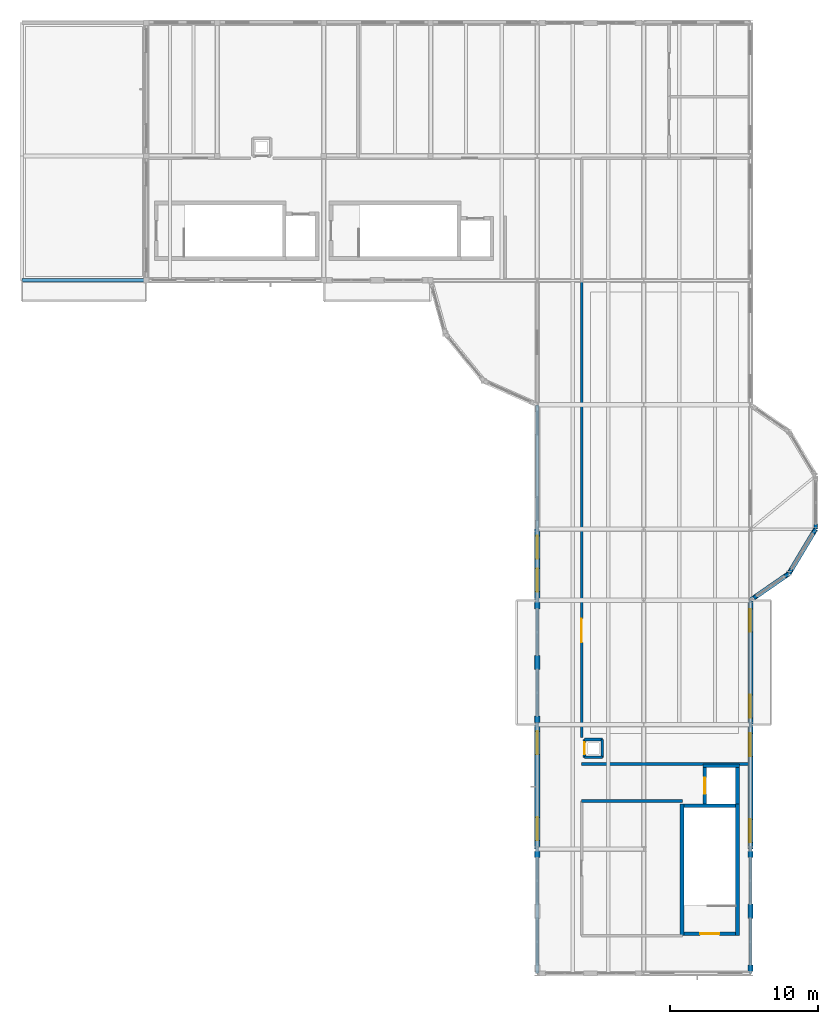
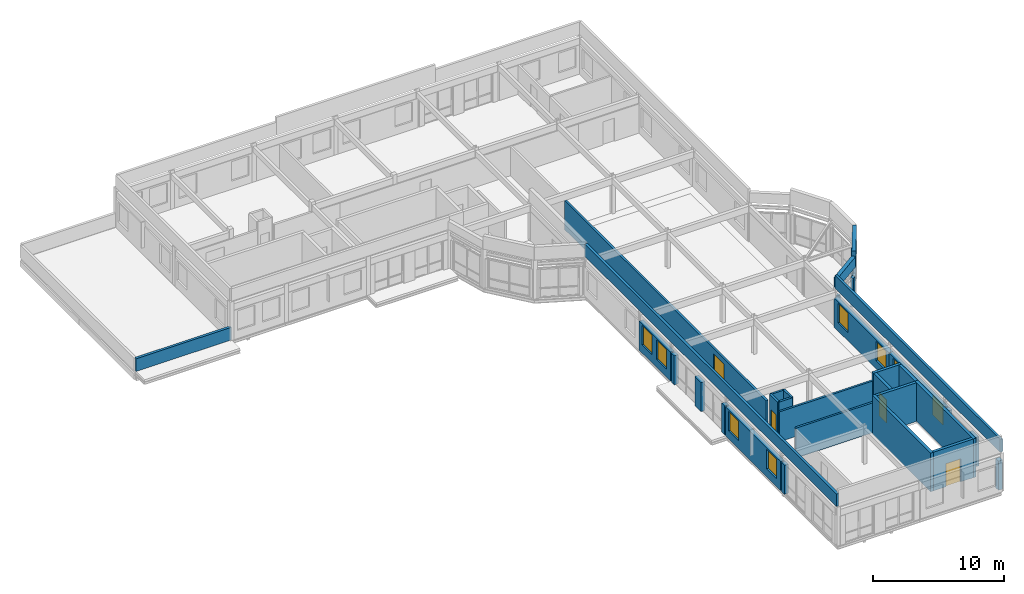
# One storey, part 16 of 21: 35 walls, 8 windows, 4 doors, 12 openings.
"""IFC4 building model written with IfcOpenShell, lengths in metres."""

from ifc_helpers import new_model, si_unit, direction, frame, frame_2d, origin, place, context, subcontext, project, spatial, rectangle, extrude, material, layer, layer_set, type_object, element, fill, save


model = new_model("IFC4")

# Units and contexts
model_context = context("Model", 3, precision=1e-05, world=origin(), true_north=direction((0.0, 1.0)))
body_context = subcontext(model_context, "Body", "Model", "MODEL_VIEW")
ifc_project = project(units=[si_unit("LENGTHUNIT", "METRE"), si_unit("AREAUNIT", "SQUARE_METRE"), si_unit("VOLUMEUNIT", "CUBIC_METRE"), si_unit("PLANEANGLEUNIT", "RADIAN"), si_unit("MASSUNIT", "GRAM", prefix="KILO")], contexts=[model_context])

# Site, building, storey
site_placement = place(None, origin())
site = spatial("IfcSite", under=ifc_project, at=site_placement, CompositionType="ELEMENT")
building_placement = place(site_placement, origin())
building = spatial("IfcBuilding", under=site, at=building_placement, Name="Kahlenmark Community Centre", CompositionType="ELEMENT")
storey_placement = place(building_placement, frame((0.0, 0.0, 21.60009765625)))
storey = spatial("IfcBuildingStorey", under=building, at=storey_placement, Name="L05", CompositionType="ELEMENT", Elevation=21.60009765625)

# Wall, opening, door
ifc_material_1 = material(Name="Concrete C35/45", Category="concrete")
ifc_layer_1 = layer(ifc_material_1, 0.25)
ifc_layer_set_1 = layer_set([ifc_layer_1], Name="Concrete C35/45")
wall_type_1 = type_object("IfcWallType", Name="WT-CORE-250", PredefinedType="SHEAR", material=ifc_layer_set_1)
wall_1_placement = place(storey_placement, frame((82.300048828125, 53.47509765625, 0.0), z_axis=(0.0, 0.0, 1.0), x_axis=(1.0, 0.0, 0.0)))
wall_1 = element("IfcWall", 1, at=wall_1_placement, inside=storey, type_object=wall_type_1, Name="Core K6 shear wall WL-CORE-K6-L05-0239", PredefinedType="SHEAR", context=body_context, shape_type="SweptSolid", body=[
    extrude(rectangle(XDim=3.5, YDim=0.25, at=frame_2d((1.75, 0.0))), origin(), (0.0, 0.0, 1.0), 3.599853515625),
])
opening_1_placement = place(wall_1_placement, frame((1.10009765625, 0.0, -0.010009765625)))
opening_1 = element("IfcOpeningElement", 2, at=opening_1_placement, cuts=wall_1, Name="Opening FD-K6-L05", PredefinedType="OPENING", context=body_context, shape_type="SweptSolid", body=[
    extrude(rectangle(XDim=1.300048828125, YDim=2.159912109375, at=frame_2d((0.64990234375, 1.080078125))), frame((0.0, 0.135009765625, 0.0), z_axis=(0.0, -1.0, 0.0), x_axis=(1.0, 0.0, 0.0)), (0.0, 0.0, 1.0), 0.27001953125),
])
ifc_material_2 = material(Name="Fire-rated steel-framed timber door FD60S", Category="steel")
door_type_1 = type_object("IfcDoorType", Name="DT-FD-K6-L05", OperationType="NOTDEFINED", PredefinedType="DOOR", material=ifc_material_2)
door_1_placement = place(opening_1_placement, frame((1.300048828125, 0.0, 0.010009765625), z_axis=(0.0, 0.0, 1.0), x_axis=(-1.0, 0.0, 0.0)))
door_1 = element("IfcDoor", 3, at=door_1_placement, inside=storey, type_object=door_type_1, Name="Core K6 stair fire door L05", OperationType="SINGLE_SWING_LEFT", OverallHeight=2.14990234375, OverallWidth=1.300048828125, PredefinedType="DOOR", context=body_context, shape_type="SweptSolid", body=[
    extrude(rectangle(XDim=1.300048828125, YDim=2.14990234375, at=frame_2d((0.64990234375, 1.074951171875))), frame((0.0, 0.02490234375, 0.0), z_axis=(0.0, -1.0, 0.0), x_axis=(1.0, 0.0, 0.0)), (0.0, 0.0, 1.0), 0.050048828125),
])
fill(opening_1, door_1)

# Walls
wall_2_placement = place(storey_placement, frame((82.175048828125, 53.35009765625, 0.0), z_axis=(0.0, 0.0, 1.0), x_axis=(0.0, 1.0, 0.0)))
element("IfcWall", 4, at=wall_2_placement, inside=storey, type_object=wall_type_1, Name="Core K6 shear wall WL-CORE-K6-L05-0240", PredefinedType="SHEAR", context=body_context, shape_type="SweptSolid", body=[
    extrude(rectangle(XDim=8.89990234375, YDim=0.25, at=frame_2d((4.449951171875, 0.0))), origin(), (0.0, 0.0, 1.0), 3.599853515625),
])
wall_3_placement = place(storey_placement, frame((85.800048828125, 62.125, 0.0), z_axis=(0.0, 0.0, 1.0), x_axis=(-1.0, 0.0, 0.0)))
element("IfcWall", 5, at=wall_3_placement, inside=storey, type_object=wall_type_1, Name="Core K6 shear wall WL-CORE-K6-L05-0241", PredefinedType="SHEAR", context=body_context, shape_type="SweptSolid", body=[
    extrude(rectangle(XDim=3.5, YDim=0.25, at=frame_2d((1.75, 0.0))), origin(), (0.0, 0.0, 1.0), 3.599853515625),
])
wall_4_placement = place(storey_placement, frame((85.925048828125, 53.35009765625, 0.0), z_axis=(0.0, 0.0, 1.0), x_axis=(0.0, 1.0, 0.0)))
element("IfcWall", 6, at=wall_4_placement, inside=storey, type_object=wall_type_1, Name="Core K6 shear wall WL-CORE-K6-L05-0242", PredefinedType="SHEAR", context=body_context, shape_type="SweptSolid", body=[
    extrude(rectangle(XDim=8.89990234375, YDim=0.25, at=frame_2d((4.449951171875, 0.0))), origin(), (0.0, 0.0, 1.0), 3.599853515625),
])
wall_5_placement = place(storey_placement, frame((83.590087890625, 64.8349609375, 0.0), z_axis=(0.0, 0.0, 1.0), x_axis=(1.0, 0.0, 0.0)))
element("IfcWall", 7, at=wall_5_placement, inside=storey, type_object=wall_type_1, Name="Core K6 shear wall WL-CORE-K6-L05-0243", PredefinedType="SHEAR", context=body_context, shape_type="SweptSolid", body=[
    extrude(rectangle(XDim=2.4599609375, YDim=0.25, at=frame_2d((1.22998046875, 0.0))), origin(), (0.0, 0.0, 1.0), 3.599853515625),
])

# Wall, opening, door
wall_6_placement = place(storey_placement, frame((83.715087890625, 62.25, 0.0), z_axis=(0.0, 0.0, 1.0), x_axis=(0.0, 1.0, 0.0)))
wall_6 = element("IfcWall", 8, at=wall_6_placement, inside=storey, type_object=wall_type_1, Name="Core K6 shear wall WL-CORE-K6-L05-0244", PredefinedType="SHEAR", context=body_context, shape_type="SweptSolid", body=[
    extrude(rectangle(XDim=2.4599609375, YDim=0.25, at=frame_2d((1.22998046875, 0.0))), origin(), (0.0, 0.0, 1.0), 3.599853515625),
])
opening_2_placement = place(wall_6_placement, frame((0.679931640625, 0.0, -0.010009765625)))
opening_2 = element("IfcOpeningElement", 9, at=opening_2_placement, cuts=wall_6, Name="Opening LD-6", PredefinedType="OPENING", context=body_context, shape_type="SweptSolid", body=[
    extrude(rectangle(XDim=1.10009765625, YDim=2.159912109375, at=frame_2d((0.550048828125, 1.080078125))), frame((0.0, 0.135009765625, 0.0), z_axis=(0.0, -1.0, 0.0), x_axis=(1.0, 0.0, 0.0)), (0.0, 0.0, 1.0), 0.27001953125),
])
ifc_material_3 = material(Name="Brushed stainless steel sliding lift landing door", Category="steel")
door_type_2 = type_object("IfcDoorType", Name="DT-LD-K6", OperationType="SLIDING_TO_LEFT", PredefinedType="DOOR", material=ifc_material_3)
door_2_placement = place(opening_2_placement, frame((0.0, 0.0, 0.010009765625)))
door_2 = element("IfcDoor", 10, at=door_2_placement, inside=storey, type_object=door_type_2, Name="Lift LF-06 sliding landing door L05", OperationType="SLIDING_TO_LEFT", OverallHeight=2.14990234375, OverallWidth=1.10009765625, PredefinedType="DOOR", context=body_context, shape_type="SweptSolid", body=[
    extrude(rectangle(XDim=1.10009765625, YDim=2.14990234375, at=frame_2d((0.550048828125, 1.074951171875))), frame((0.0, 0.02490234375, 0.0), z_axis=(0.0, -1.0, 0.0), x_axis=(1.0, 0.0, 0.0)), (0.0, 0.0, 1.0), 0.050048828125),
])
fill(opening_2, door_2)

# Walls
wall_7_placement = place(storey_placement, frame((85.925048828125, 62.25, 0.0), z_axis=(0.0, 0.0, 1.0), x_axis=(0.0, 1.0, 0.0)))
element("IfcWall", 11, at=wall_7_placement, inside=storey, type_object=wall_type_1, Name="Core K6 shear wall WL-CORE-K6-L05-0245", PredefinedType="SHEAR", context=body_context, shape_type="SweptSolid", body=[
    extrude(rectangle(XDim=2.7099609375, YDim=0.25, at=frame_2d((1.35498046875, 0.0))), origin(), (0.0, 0.0, 1.0), 3.599853515625),
])
ifc_material_4 = material(Name="Cross-laminated timber CLT C24", Category="wood")
ifc_layer_2 = layer(ifc_material_4, 0.239990234375)
ifc_layer_set_2 = layer_set([ifc_layer_2], Name="Cross-laminated timber CLT C24")
wall_type_2 = type_object("IfcWallType", Name="WT-EW-240", PredefinedType="SOLIDWALL", material=ifc_layer_set_2)
wall_8_placement = place(storey_placement, frame((87.0302734375, 76.159423828125, 0.0), z_axis=(0.0, 0.0, 1.0), x_axis=(0.822192191644, 0.56920997883, 0.0)))
element("IfcWall", 12, at=wall_8_placement, inside=storey, type_object=wall_type_2, Name="Rotunda pier closure 0756", PredefinedType="SOLIDWALL", context=body_context, shape_type="SweptSolid", body=[
    extrude(rectangle(XDim=0.219970703125, YDim=0.239990234375, at=frame_2d((0.10986328125, 0.0))), origin(), (0.0, 0.0, 1.0), 2.7099609375),
])
wall_9_placement = place(storey_placement, frame((89.12060546875, 77.6064453125, 0.0), z_axis=(0.0, 0.0, 1.0), x_axis=(0.821855834467, 0.569695521619, 0.0)))
element("IfcWall", 13, at=wall_9_placement, inside=storey, type_object=wall_type_2, Name="Rotunda pier closure 0757", PredefinedType="SOLIDWALL", context=body_context, shape_type="SweptSolid", body=[
    extrude(rectangle(XDim=0.33984375, YDim=0.239990234375, at=frame_2d((0.169921875, 0.0))), origin(), (0.0, 0.0, 1.0), 2.7099609375),
])
wall_10_placement = place(storey_placement, frame((89.39990234375, 77.800048828125, 0.0), z_axis=(0.0, 0.0, 1.0), x_axis=(0.514812489021, 0.857302805984, 0.0)))
element("IfcWall", 14, at=wall_10_placement, inside=storey, type_object=wall_type_2, Name="Rotunda pier closure 0758", PredefinedType="SOLIDWALL", context=body_context, shape_type="SweptSolid", body=[
    extrude(rectangle(XDim=0.340087890625, YDim=0.239990234375, at=frame_2d((0.169921875, 0.0))), origin(), (0.0, 0.0, 1.0), 2.7099609375),
])
for number, where, z_axis, x_axis, name in (
    (15, (91.025146484375, 80.508544921875, 0.0), (0.0, 0.0, 1.0), (0.514284482632, 0.857619653998, 0.0), "Rotunda pier closure 0759"),
    (16, (91.199951171875, 80.800048828125, 0.0), (0.0, 0.0, 1.0), (0.0, 1.0, 0.0), "Rotunda pier closure 0760"),
):
    element("IfcWall", number, at=place(storey_placement, frame(where, z_axis=z_axis, x_axis=x_axis)), inside=storey, type_object=wall_type_2, Name=name, PredefinedType="SOLIDWALL", context=body_context, shape_type="SweptSolid", body=[
        extrude(rectangle(XDim=0.33984375, YDim=0.239990234375, at=frame_2d((0.169921875, 0.0))), origin(), (0.0, 0.0, 1.0), 2.7099609375),
    ])
ifc_material_5 = material(Name="Danube limestone masonry", Category="masonry")
ifc_layer_3 = layer(ifc_material_5, 0.360107421875)
ifc_layer_set_3 = layer_set([ifc_layer_3], Name="Danube limestone masonry")
wall_type_3 = type_object("IfcWallType", Name="WT-EW-360", PredefinedType="SOLIDWALL", material=ifc_layer_set_3)
wall_11_placement = place(storey_placement, frame((72.39990234375, 59.070068359375, 0.0), z_axis=(0.0, 0.0, 1.0), x_axis=(0.0, -1.0, 0.0)))
element("IfcWall", 17, at=wall_11_placement, inside=storey, type_object=wall_type_3, Name="Column closure pier 0689", PredefinedType="SOLIDWALL", context=body_context, shape_type="SweptSolid", body=[
    extrude(rectangle(XDim=0.449951171875, YDim=0.360107421875, at=frame_2d((0.22509765625, 0.0))), origin(), (0.0, 0.0, 1.0), 2.7099609375),
])

# Wall, openings, windows
wall_12_placement = place(storey_placement, frame((72.39990234375, 67.60009765625, 0.0), z_axis=(0.0, 0.0, 1.0), x_axis=(0.0, -1.0, 0.0)))
wall_12 = element("IfcWall", 18, at=wall_12_placement, inside=storey, type_object=wall_type_3, Name="Exterior wall WL-EXT-L05-0691", PredefinedType="SOLIDWALL", context=body_context, shape_type="SweptSolid", body=[
    extrude(rectangle(XDim=8.400146484375, YDim=0.360107421875, at=frame_2d((4.2001953125, 0.0))), origin(), (0.0, 0.0, 1.0), 2.7099609375),
])
opening_3_placement = place(wall_12_placement, frame((0.4599609375, 0.0, 0.75)))
opening_3 = element("IfcOpeningElement", 19, at=opening_3_placement, cuts=wall_12, Name="Opening W-155X182", PredefinedType="OPENING", context=body_context, shape_type="SweptSolid", body=[
    extrude(rectangle(XDim=1.550048828125, YDim=1.820068359375, at=frame_2d((0.77490234375, 0.91015625))), frame((0.0, 0.18994140625, 0.0), z_axis=(0.0, -1.0, 0.0), x_axis=(1.0, 0.0, 0.0)), (0.0, 0.0, 1.0), 0.380126953125),
])
opening_4_placement = place(wall_12_placement, frame((6.260009765625, 0.0, 0.75)))
opening_4 = element("IfcOpeningElement", 20, at=opening_4_placement, cuts=wall_12, Name="Opening W-155X182", PredefinedType="OPENING", context=body_context, shape_type="SweptSolid", body=[
    extrude(rectangle(XDim=1.550048828125, YDim=1.820068359375, at=frame_2d((0.77490234375, 0.91015625))), frame((0.0, 0.18994140625, 0.0), z_axis=(0.0, -1.0, 0.0), x_axis=(1.0, 0.0, 0.0)), (0.0, 0.0, 1.0), 0.380126953125),
])
ifc_material_6 = material(Name="Deep-reveal limestone punched triple glazing", Category="masonry")
window_type = type_object("IfcWindowType", Name="WNT-155X182", PartitioningType="DOUBLE_PANEL_HORIZONTAL", PredefinedType="WINDOW", material=ifc_material_6)
window_1_placement = place(opening_3_placement, origin())
window_1 = element("IfcWindow", 21, at=window_1_placement, inside=storey, type_object=window_type, Name="Window W-155X182 #0471", OverallHeight=1.820068359375, OverallWidth=1.550048828125, PartitioningType="DOUBLE_PANEL_HORIZONTAL", PredefinedType="WINDOW", context=body_context, shape_type="SweptSolid", body=[
    extrude(rectangle(XDim=1.550048828125, YDim=1.820068359375, at=frame_2d((0.77490234375, 0.91015625))), frame((0.0, 0.030029296875, 0.0), z_axis=(0.0, -1.0, 0.0), x_axis=(1.0, 0.0, 0.0)), (0.0, 0.0, 1.0), 0.06005859375),
])
fill(opening_3, window_1)
window_2_placement = place(opening_4_placement, origin())
window_2 = element("IfcWindow", 22, at=window_2_placement, inside=storey, type_object=window_type, Name="Window W-155X182 #0472", OverallHeight=1.820068359375, OverallWidth=1.550048828125, PartitioningType="DOUBLE_PANEL_HORIZONTAL", PredefinedType="WINDOW", context=body_context, shape_type="SweptSolid", body=[
    extrude(rectangle(XDim=1.550048828125, YDim=1.820068359375, at=frame_2d((0.77490234375, 0.91015625))), frame((0.0, 0.030029296875, 0.0), z_axis=(0.0, -1.0, 0.0), x_axis=(1.0, 0.0, 0.0)), (0.0, 0.0, 1.0), 0.06005859375),
])
fill(opening_4, window_2)

# Walls
wall_13_placement = place(storey_placement, frame((72.39990234375, 72.280029296875, 0.0), z_axis=(0.0, 0.0, 1.0), x_axis=(0.0, -1.0, 0.0)))
element("IfcWall", 23, at=wall_13_placement, inside=storey, type_object=wall_type_3, Name="Postmodern limestone pier 0692", PredefinedType="SOLIDWALL", context=body_context, shape_type="SweptSolid", body=[
    extrude(rectangle(XDim=0.9599609375, YDim=0.360107421875, at=frame_2d((0.47998046875, 0.0))), origin(), (0.0, 0.0, 1.0), 2.7099609375),
])
wall_14_placement = place(storey_placement, frame((72.39990234375, 75.8701171875, 0.0), z_axis=(0.0, 0.0, 1.0), x_axis=(0.0, -1.0, 0.0)))
element("IfcWall", 24, at=wall_14_placement, inside=storey, type_object=wall_type_3, Name="Column closure pier 0693", PredefinedType="SOLIDWALL", context=body_context, shape_type="SweptSolid", body=[
    extrude(rectangle(XDim=0.4501953125, YDim=0.360107421875, at=frame_2d((0.22509765625, 0.0))), origin(), (0.0, 0.0, 1.0), 2.7099609375),
])
wall_15_placement = place(storey_placement, frame((72.39990234375, 68.179931640625, 0.0), z_axis=(0.0, 0.0, 1.0), x_axis=(0.0, -1.0, 0.0)))
element("IfcWall", 25, at=wall_15_placement, inside=storey, type_object=wall_type_3, Name="Column closure pier 0694", PredefinedType="SOLIDWALL", context=body_context, shape_type="SweptSolid", body=[
    extrude(rectangle(XDim=0.449951171875, YDim=0.360107421875, at=frame_2d((0.22509765625, 0.0))), origin(), (0.0, 0.0, 1.0), 2.7099609375),
])

# Wall, openings, windows
wall_16_placement = place(storey_placement, frame((72.39990234375, 80.800048828125, 0.0), z_axis=(0.0, 0.0, 1.0), x_axis=(0.0, -1.0, 0.0)))
wall_16 = element("IfcWall", 26, at=wall_16_placement, inside=storey, type_object=wall_type_3, Name="Exterior wall WL-EXT-L05-0695", PredefinedType="SOLIDWALL", context=body_context, shape_type="SweptSolid", body=[
    extrude(rectangle(XDim=4.800048828125, YDim=0.360107421875, at=frame_2d((2.39990234375, 0.0))), origin(), (0.0, 0.0, 1.0), 2.7099609375),
])
opening_5_placement = place(wall_16_placement, frame((0.4599609375, 0.0, 0.75)))
opening_5 = element("IfcOpeningElement", 27, at=opening_5_placement, cuts=wall_16, Name="Opening W-155X182", PredefinedType="OPENING", context=body_context, shape_type="SweptSolid", body=[
    extrude(rectangle(XDim=1.550048828125, YDim=1.820068359375, at=frame_2d((0.77490234375, 0.91015625))), frame((0.0, 0.18994140625, 0.0), z_axis=(0.0, -1.0, 0.0), x_axis=(1.0, 0.0, 0.0)), (0.0, 0.0, 1.0), 0.380126953125),
])
opening_6_placement = place(wall_16_placement, frame((2.659912109375, 0.0, 0.75)))
opening_6 = element("IfcOpeningElement", 28, at=opening_6_placement, cuts=wall_16, Name="Opening W-155X182", PredefinedType="OPENING", context=body_context, shape_type="SweptSolid", body=[
    extrude(rectangle(XDim=1.550048828125, YDim=1.820068359375, at=frame_2d((0.77490234375, 0.91015625))), frame((0.0, 0.18994140625, 0.0), z_axis=(0.0, -1.0, 0.0), x_axis=(1.0, 0.0, 0.0)), (0.0, 0.0, 1.0), 0.380126953125),
])
window_3_placement = place(opening_5_placement, origin())
window_3 = element("IfcWindow", 29, at=window_3_placement, inside=storey, type_object=window_type, Name="Window W-155X182 #0473", OverallHeight=1.820068359375, OverallWidth=1.550048828125, PartitioningType="DOUBLE_PANEL_HORIZONTAL", PredefinedType="WINDOW", context=body_context, shape_type="SweptSolid", body=[
    extrude(rectangle(XDim=1.550048828125, YDim=1.820068359375, at=frame_2d((0.77490234375, 0.91015625))), frame((0.0, 0.030029296875, 0.0), z_axis=(0.0, -1.0, 0.0), x_axis=(1.0, 0.0, 0.0)), (0.0, 0.0, 1.0), 0.06005859375),
])
fill(opening_5, window_3)
window_4_placement = place(opening_6_placement, origin())
window_4 = element("IfcWindow", 30, at=window_4_placement, inside=storey, type_object=window_type, Name="Window W-155X182 #0474", OverallHeight=1.820068359375, OverallWidth=1.550048828125, PartitioningType="DOUBLE_PANEL_HORIZONTAL", PredefinedType="WINDOW", context=body_context, shape_type="SweptSolid", body=[
    extrude(rectangle(XDim=1.550048828125, YDim=1.820068359375, at=frame_2d((0.77490234375, 0.91015625))), frame((0.0, 0.030029296875, 0.0), z_axis=(0.0, -1.0, 0.0), x_axis=(1.0, 0.0, 0.0)), (0.0, 0.0, 1.0), 0.06005859375),
])
fill(opening_6, window_4)

# Walls
wall_17_placement = place(storey_placement, frame((86.800048828125, 54.52001953125, 0.0), z_axis=(0.0, 0.0, 1.0), x_axis=(0.0, 1.0, 0.0)))
element("IfcWall", 31, at=wall_17_placement, inside=storey, type_object=wall_type_3, Name="Postmodern limestone pier 0697", PredefinedType="SOLIDWALL", context=body_context, shape_type="SweptSolid", body=[
    extrude(rectangle(XDim=0.9599609375, YDim=0.360107421875, at=frame_2d((0.47998046875, 0.0))), origin(), (0.0, 0.0, 1.0), 2.7099609375),
])
for number, where, z_axis, x_axis, name in (
    (32, (86.800048828125, 50.929931640625, 0.0), (0.0, 0.0, 1.0), (0.0, 1.0, 0.0), "Column closure pier 0698"),
    (33, (86.800048828125, 58.6201171875, 0.0), (0.0, 0.0, 1.0), (0.0, 1.0, 0.0), "Column closure pier 0699"),
):
    element("IfcWall", number, at=place(storey_placement, frame(where, z_axis=z_axis, x_axis=x_axis)), inside=storey, type_object=wall_type_3, Name=name, PredefinedType="SOLIDWALL", context=body_context, shape_type="SweptSolid", body=[
        extrude(rectangle(XDim=0.449951171875, YDim=0.360107421875, at=frame_2d((0.22509765625, 0.0))), origin(), (0.0, 0.0, 1.0), 2.7099609375),
    ])

# Wall, openings, windows
wall_18_placement = place(storey_placement, frame((86.800048828125, 59.199951171875, 0.0), z_axis=(0.0, 0.0, 1.0), x_axis=(0.0, 1.0, 0.0)))
wall_18 = element("IfcWall", 34, at=wall_18_placement, inside=storey, type_object=wall_type_3, Name="Exterior wall WL-EXT-L05-0700", PredefinedType="SOLIDWALL", context=body_context, shape_type="SweptSolid", body=[
    extrude(rectangle(XDim=8.400146484375, YDim=0.360107421875, at=frame_2d((4.2001953125, 0.0))), origin(), (0.0, 0.0, 1.0), 2.7099609375),
])
opening_7_placement = place(wall_18_placement, frame((0.4599609375, 0.0, 0.75)))
opening_7 = element("IfcOpeningElement", 35, at=opening_7_placement, cuts=wall_18, Name="Opening W-155X182", PredefinedType="OPENING", context=body_context, shape_type="SweptSolid", body=[
    extrude(rectangle(XDim=1.550048828125, YDim=1.820068359375, at=frame_2d((0.77490234375, 0.91015625))), frame((0.0, 0.18994140625, 0.0), z_axis=(0.0, -1.0, 0.0), x_axis=(1.0, 0.0, 0.0)), (0.0, 0.0, 1.0), 0.380126953125),
])
opening_8_placement = place(wall_18_placement, frame((6.260009765625, 0.0, 0.75)))
opening_8 = element("IfcOpeningElement", 36, at=opening_8_placement, cuts=wall_18, Name="Opening W-155X182", PredefinedType="OPENING", context=body_context, shape_type="SweptSolid", body=[
    extrude(rectangle(XDim=1.550048828125, YDim=1.820068359375, at=frame_2d((0.77490234375, 0.91015625))), frame((0.0, 0.18994140625, 0.0), z_axis=(0.0, -1.0, 0.0), x_axis=(1.0, 0.0, 0.0)), (0.0, 0.0, 1.0), 0.380126953125),
])
window_5_placement = place(opening_7_placement, origin())
window_5 = element("IfcWindow", 37, at=window_5_placement, inside=storey, type_object=window_type, Name="Window W-155X182 #0477", OverallHeight=1.820068359375, OverallWidth=1.550048828125, PartitioningType="DOUBLE_PANEL_HORIZONTAL", PredefinedType="WINDOW", context=body_context, shape_type="SweptSolid", body=[
    extrude(rectangle(XDim=1.550048828125, YDim=1.820068359375, at=frame_2d((0.77490234375, 0.91015625))), frame((0.0, 0.030029296875, 0.0), z_axis=(0.0, -1.0, 0.0), x_axis=(1.0, 0.0, 0.0)), (0.0, 0.0, 1.0), 0.06005859375),
])
fill(opening_7, window_5)
window_6_placement = place(opening_8_placement, origin())
window_6 = element("IfcWindow", 38, at=window_6_placement, inside=storey, type_object=window_type, Name="Window W-155X182 #0478", OverallHeight=1.820068359375, OverallWidth=1.550048828125, PartitioningType="DOUBLE_PANEL_HORIZONTAL", PredefinedType="WINDOW", context=body_context, shape_type="SweptSolid", body=[
    extrude(rectangle(XDim=1.550048828125, YDim=1.820068359375, at=frame_2d((0.77490234375, 0.91015625))), frame((0.0, 0.030029296875, 0.0), z_axis=(0.0, -1.0, 0.0), x_axis=(1.0, 0.0, 0.0)), (0.0, 0.0, 1.0), 0.06005859375),
])
fill(opening_8, window_6)

wall_19_placement = place(storey_placement, frame((86.800048828125, 67.60009765625, 0.0), z_axis=(0.0, 0.0, 1.0), x_axis=(0.0, 1.0, 0.0)))
wall_19 = element("IfcWall", 39, at=wall_19_placement, inside=storey, type_object=wall_type_3, Name="Exterior wall WL-EXT-L05-0701", PredefinedType="SOLIDWALL", context=body_context, shape_type="SweptSolid", body=[
    extrude(rectangle(XDim=8.39990234375, YDim=0.360107421875, at=frame_2d((4.199951171875, 0.0))), origin(), (0.0, 0.0, 1.0), 2.7099609375),
])
opening_9_placement = place(wall_19_placement, frame((0.4599609375, 0.0, 0.75)))
opening_9 = element("IfcOpeningElement", 40, at=opening_9_placement, cuts=wall_19, Name="Opening W-155X182", PredefinedType="OPENING", context=body_context, shape_type="SweptSolid", body=[
    extrude(rectangle(XDim=1.550048828125, YDim=1.820068359375, at=frame_2d((0.77490234375, 0.91015625))), frame((0.0, 0.18994140625, 0.0), z_axis=(0.0, -1.0, 0.0), x_axis=(1.0, 0.0, 0.0)), (0.0, 0.0, 1.0), 0.380126953125),
])
opening_10_placement = place(wall_19_placement, frame((6.260009765625, 0.0, 0.75)))
opening_10 = element("IfcOpeningElement", 41, at=opening_10_placement, cuts=wall_19, Name="Opening W-155X182", PredefinedType="OPENING", context=body_context, shape_type="SweptSolid", body=[
    extrude(rectangle(XDim=1.550048828125, YDim=1.820068359375, at=frame_2d((0.77490234375, 0.91015625))), frame((0.0, 0.18994140625, 0.0), z_axis=(0.0, -1.0, 0.0), x_axis=(1.0, 0.0, 0.0)), (0.0, 0.0, 1.0), 0.380126953125),
])
window_7_placement = place(opening_9_placement, origin())
window_7 = element("IfcWindow", 42, at=window_7_placement, inside=storey, type_object=window_type, Name="Window W-155X182 #0479", OverallHeight=1.820068359375, OverallWidth=1.550048828125, PartitioningType="DOUBLE_PANEL_HORIZONTAL", PredefinedType="WINDOW", context=body_context, shape_type="SweptSolid", body=[
    extrude(rectangle(XDim=1.550048828125, YDim=1.820068359375, at=frame_2d((0.77490234375, 0.91015625))), frame((0.0, 0.030029296875, 0.0), z_axis=(0.0, -1.0, 0.0), x_axis=(1.0, 0.0, 0.0)), (0.0, 0.0, 1.0), 0.06005859375),
])
fill(opening_9, window_7)
window_8_placement = place(opening_10_placement, origin())
window_8 = element("IfcWindow", 43, at=window_8_placement, inside=storey, type_object=window_type, Name="Window W-155X182 #0480", OverallHeight=1.820068359375, OverallWidth=1.550048828125, PartitioningType="DOUBLE_PANEL_HORIZONTAL", PredefinedType="WINDOW", context=body_context, shape_type="SweptSolid", body=[
    extrude(rectangle(XDim=1.550048828125, YDim=1.820068359375, at=frame_2d((0.77490234375, 0.91015625))), frame((0.0, 0.030029296875, 0.0), z_axis=(0.0, -1.0, 0.0), x_axis=(1.0, 0.0, 0.0)), (0.0, 0.0, 1.0), 0.06005859375),
])
fill(opening_10, window_8)

# Walls
ifc_material_7 = material(Name="Concrete C30/37", Category="concrete")
ifc_layer_4 = layer(ifc_material_7, 0.219970703125)
ifc_layer_set_4 = layer_set([ifc_layer_4], Name="Concrete C30/37")
wall_type_4 = type_object("IfcWallType", Name="WT-PAR-220", PredefinedType="PARAPET", material=ifc_layer_set_4)
wall_20_placement = place(storey_placement, frame((37.60009765625, 97.60009765625, 0.0), z_axis=(0.0, 0.0, 1.0), x_axis=(1.0, 0.0, 0.0)))
element("IfcWall", 44, at=wall_20_placement, inside=storey, type_object=wall_type_4, Name="Roof parapet 1055", PredefinedType="PARAPET", context=body_context, shape_type="SweptSolid", body=[
    extrude(rectangle(XDim=8.39990234375, YDim=0.219970703125, at=frame_2d((4.199951171875, 0.0))), origin(), (0.0, 0.0, 1.0), 1.179931640625),
])
wall_21_placement = place(storey_placement, frame((86.800048828125, 50.800048828125, 3.599853515625), z_axis=(0.0, 0.0, 1.0), x_axis=(0.0, 1.0, 0.0)))
element("IfcWall", 45, at=wall_21_placement, inside=storey, type_object=wall_type_4, Name="Roof parapet 1064", PredefinedType="PARAPET", context=body_context, shape_type="SweptSolid", body=[
    extrude(rectangle(XDim=25.199951171875, YDim=0.219970703125, at=frame_2d((12.60009765625, 0.0))), origin(), (0.0, 0.0, 1.0), 1.199951171875),
])
wall_22_placement = place(storey_placement, frame((72.39990234375, 50.800048828125, 3.599853515625), z_axis=(0.0, 0.0, 1.0), x_axis=(0.0, 1.0, 0.0)))
element("IfcWall", 46, at=wall_22_placement, inside=storey, type_object=wall_type_4, Name="Roof parapet 1066", PredefinedType="PARAPET", context=body_context, shape_type="SweptSolid", body=[
    extrude(rectangle(XDim=38.39990234375, YDim=0.219970703125, at=frame_2d((19.199951171875, 0.0))), origin(), (0.0, 0.0, 1.0), 1.150146484375),
])
ifc_layer_5 = layer(ifc_material_5, 0.320068359375)
ifc_layer_set_5 = layer_set([ifc_layer_5], Name="Danube limestone masonry")
wall_type_5 = type_object("IfcWallType", Name="WT-PAR-PED320", PredefinedType="PARAPET", material=ifc_layer_set_5)
wall_23_placement = place(storey_placement, frame((86.800048828125, 76.0, 3.599853515625), z_axis=(0.0, 0.0, 1.0), x_axis=(0.8221699556, 0.569242096219, 0.0)))
element("IfcWall", 47, at=wall_23_placement, inside=storey, type_object=wall_type_5, Name="Postmodern rotunda drum crown 0766", PredefinedType="PARAPET", context=body_context, shape_type="SweptSolid", body=[
    extrude(rectangle(XDim=3.162109375, YDim=0.320068359375, at=frame_2d((1.5810546875, 0.0))), origin(), (0.0, 0.0, 1.0), 0.949951171875),
])
wall_24_placement = place(storey_placement, frame((89.39990234375, 77.800048828125, 3.599853515625), z_axis=(0.0, 0.0, 1.0), x_axis=(0.514506017516, 0.857486768376, 0.0)))
element("IfcWall", 48, at=wall_24_placement, inside=storey, type_object=wall_type_5, Name="Postmodern rotunda drum crown 0767", PredefinedType="PARAPET", context=body_context, shape_type="SweptSolid", body=[
    extrude(rectangle(XDim=3.49853515625, YDim=0.320068359375, at=frame_2d((1.749267578125, 0.0))), origin(), (0.0, 0.0, 1.0), 1.400146484375),
])
ifc_material_8 = material(Name="Gypsum plasterboard partition", Category="gypsum")
ifc_layer_6 = layer(ifc_material_8, 0.179931640625)
ifc_layer_set_6 = layer_set([ifc_layer_6], Name="Gypsum plasterboard partition")
wall_type_6 = type_object("IfcWallType", Name="WT-PW-180", PredefinedType="PARTITIONING", material=ifc_layer_set_6)
wall_25_placement = place(storey_placement, frame((75.39990234375, 62.449951171875, 0.0), z_axis=(0.0, 0.0, 1.0), x_axis=(1.0, 0.0, 0.0)))
element("IfcWall", 49, at=wall_25_placement, inside=storey, type_object=wall_type_6, Name="Interior partition WL-INT-L05-0288", PredefinedType="PARTITIONING", context=body_context, shape_type="SweptSolid", body=[
    extrude(rectangle(XDim=6.800048828125, YDim=0.179931640625, at=frame_2d((3.39990234375, 0.0))), origin(), (0.0, 0.0, 1.0), 2.789794921875),
])
wall_26_placement = place(storey_placement, frame((75.39990234375, 64.949951171875, 0.0), z_axis=(0.0, 0.0, 1.0), x_axis=(1.0, 0.0, 0.0)))
element("IfcWall", 50, at=wall_26_placement, inside=storey, type_object=wall_type_6, Name="Interior partition WL-INT-L05-0289", PredefinedType="PARTITIONING", context=body_context, shape_type="SweptSolid", body=[
    extrude(rectangle(XDim=11.260009765625, YDim=0.179931640625, at=frame_2d((5.6298828125, 0.0))), origin(), (0.0, 0.0, 1.0), 2.789794921875),
])

# Wall, opening, door
wall_27_placement = place(storey_placement, frame((75.39990234375, 66.75, 0.0), z_axis=(0.0, 0.0, 1.0), x_axis=(0.0, 1.0, 0.0)))
wall_27 = element("IfcWall", 51, at=wall_27_placement, inside=storey, type_object=wall_type_6, Name="Interior partition WL-INT-L05-0290", PredefinedType="PARTITIONING", context=body_context, shape_type="SweptSolid", body=[
    extrude(rectangle(XDim=30.75, YDim=0.179931640625, at=frame_2d((15.375, 0.0))), origin(), (0.0, 0.0, 1.0), 2.7099609375),
])
opening_11_placement = place(wall_27_placement, frame((6.4130859375, 0.0, -0.010009765625)))
opening_11 = element("IfcOpeningElement", 52, at=opening_11_placement, cuts=wall_27, Name="Opening D-L05-164", PredefinedType="OPENING", context=body_context, shape_type="SweptSolid", body=[
    extrude(rectangle(XDim=1.60009765625, YDim=2.2099609375, at=frame_2d((0.800048828125, 1.10498046875))), frame((0.0, 0.099853515625, 0.0), z_axis=(0.0, -1.0, 0.0), x_axis=(1.0, 0.0, 0.0)), (0.0, 0.0, 1.0), 0.199951171875),
])
ifc_material_9 = material(Name="Oak double-leaf acoustic door")
door_type_3 = type_object("IfcDoorType", Name="DT-DBL-160X220", OperationType="NOTDEFINED", PredefinedType="DOOR", material=ifc_material_9)
door_3_placement = place(opening_11_placement, frame((0.0, 0.0, 0.010009765625)))
door_3 = element("IfcDoor", 53, at=door_3_placement, inside=storey, type_object=door_type_3, Name="Interior door D-L05-164", OperationType="DOUBLE_SWING_LEFT", OverallHeight=2.199951171875, OverallWidth=1.60009765625, PredefinedType="DOOR", context=body_context, shape_type="SweptSolid", body=[
    extrude(rectangle(XDim=1.60009765625, YDim=2.199951171875, at=frame_2d((0.800048828125, 1.10009765625))), frame((0.0, 0.02490234375, 0.0), z_axis=(0.0, -1.0, 0.0), x_axis=(1.0, 0.0, 0.0)), (0.0, 0.0, 1.0), 0.050048828125),
])
fill(opening_11, door_3)

# Walls
ifc_material_10 = material(Name="Masonry blockwork", Category="masonry")
ifc_layer_7 = layer(ifc_material_10, 0.179931640625)
ifc_layer_set_7 = layer_set([ifc_layer_7], Name="Masonry blockwork")
wall_type_7 = type_object("IfcWallType", Name="WT-RISER-180", PredefinedType="SOLIDWALL", material=ifc_layer_set_7)
wall_28_placement = place(storey_placement, frame((75.60009765625, 65.39990234375, 0.0), z_axis=(0.0, 0.0, 1.0), x_axis=(1.0, 0.0, 0.0)))
element("IfcWall", 54, at=wall_28_placement, inside=storey, type_object=wall_type_7, Name="Riser RS-08 shaft wall L05.1", PredefinedType="SOLIDWALL", context=body_context, shape_type="SweptSolid", body=[
    extrude(rectangle(XDim=1.199951171875, YDim=0.179931640625, at=frame_2d((0.60009765625, 0.0))), origin(), (0.0, 0.0, 1.0), 3.349853515625),
])
wall_29_placement = place(storey_placement, frame((76.800048828125, 65.39990234375, 0.0), z_axis=(0.0, 0.0, 1.0), x_axis=(0.0, 1.0, 0.0)))
element("IfcWall", 55, at=wall_29_placement, inside=storey, type_object=wall_type_7, Name="Riser RS-08 shaft wall L05.2", PredefinedType="SOLIDWALL", context=body_context, shape_type="SweptSolid", body=[
    extrude(rectangle(XDim=1.2001953125, YDim=0.179931640625, at=frame_2d((0.60009765625, 0.0))), origin(), (0.0, 0.0, 1.0), 3.349853515625),
])
wall_30_placement = place(storey_placement, frame((76.800048828125, 66.60009765625, 0.0), z_axis=(0.0, 0.0, 1.0), x_axis=(-1.0, 0.0, 0.0)))
element("IfcWall", 56, at=wall_30_placement, inside=storey, type_object=wall_type_7, Name="Riser RS-08 shaft wall L05.3", PredefinedType="SOLIDWALL", context=body_context, shape_type="SweptSolid", body=[
    extrude(rectangle(XDim=1.199951171875, YDim=0.179931640625, at=frame_2d((0.60009765625, 0.0))), origin(), (0.0, 0.0, 1.0), 3.349853515625),
])

# Wall, opening, door
wall_31_placement = place(storey_placement, frame((75.60009765625, 66.60009765625, 0.0), z_axis=(0.0, 0.0, 1.0), x_axis=(0.0, -1.0, 0.0)))
wall_31 = element("IfcWall", 57, at=wall_31_placement, inside=storey, type_object=wall_type_7, Name="Riser RS-08 shaft wall L05.4", PredefinedType="SOLIDWALL", context=body_context, shape_type="SweptSolid", body=[
    extrude(rectangle(XDim=1.2001953125, YDim=0.179931640625, at=frame_2d((0.60009765625, 0.0))), origin(), (0.0, 0.0, 1.0), 3.349853515625),
])
opening_12_placement = place(wall_31_placement, frame((0.199951171875, 0.0, -0.010009765625)))
opening_12 = element("IfcOpeningElement", 58, at=opening_12_placement, cuts=wall_31, Name="Opening FD-RS80", PredefinedType="OPENING", context=body_context, shape_type="SweptSolid", body=[
    extrude(rectangle(XDim=0.800048828125, YDim=2.06005859375, at=frame_2d((0.39990234375, 1.030029296875))), frame((0.0, 0.099853515625, 0.0), z_axis=(0.0, -1.0, 0.0), x_axis=(1.0, 0.0, 0.0)), (0.0, 0.0, 1.0), 0.199951171875),
])
ifc_material_11 = material(Name="Fire-rated steel service riser door FD60S", Category="steel")
door_type_4 = type_object("IfcDoorType", Name="DT-RISER-80X205", OperationType="NOTDEFINED", PredefinedType="DOOR", material=ifc_material_11)
door_4_placement = place(opening_12_placement, frame((0.0, 0.0, 0.010009765625)))
door_4 = element("IfcDoor", 59, at=door_4_placement, inside=storey, type_object=door_type_4, Name="Riser RS-08 access door L05", OperationType="SINGLE_SWING_LEFT", OverallHeight=2.050048828125, OverallWidth=0.800048828125, PredefinedType="DOOR", context=body_context, shape_type="SweptSolid", body=[
    extrude(rectangle(XDim=0.800048828125, YDim=2.050048828125, at=frame_2d((0.39990234375, 1.02490234375))), frame((0.0, 0.02490234375, 0.0), z_axis=(0.0, -1.0, 0.0), x_axis=(1.0, 0.0, 0.0)), (0.0, 0.0, 1.0), 0.050048828125),
])
fill(opening_12, door_4)

save(model, "model.ifc")
